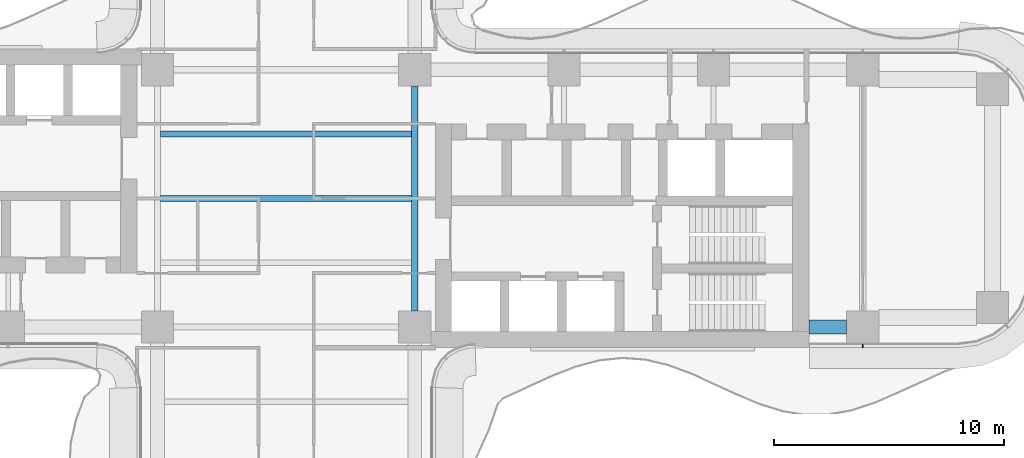
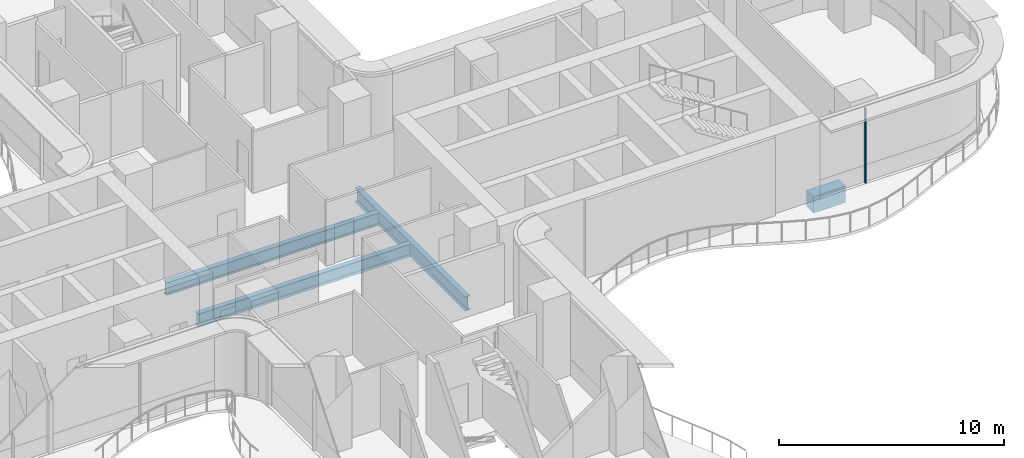
# One storey, part 6 of 22: 4 beams, 1 member, 1 element without a shape of its own.
"""IFC4 building model written with IfcOpenShell, lengths in metres."""

from ifc_helpers import new_model, si_unit, direction, frame, origin, origin_2d, place, context, subcontext, project, spatial, rectangle, i_section, extrude, source, transform, mapped, material, layer, layer_set, material_profile, profile_set, type_object, element, aggregate, save


model = new_model("IFC4")

# Units and contexts
model_context = context("Model", 3, precision=1e-05, world=origin(), true_north=direction((0.0, 1.0)))
body_context = subcontext(model_context, "Body", "Model", "MODEL_VIEW")
ifc_project = project(units=[si_unit("LENGTHUNIT", "METRE"), si_unit("AREAUNIT", "SQUARE_METRE"), si_unit("VOLUMEUNIT", "CUBIC_METRE"), si_unit("PLANEANGLEUNIT", "RADIAN"), si_unit("MASSUNIT", "GRAM", prefix="KILO")], contexts=[model_context])

# Site, building, storey
site_placement = place(None, origin())
site = spatial("IfcSite", under=ifc_project, at=site_placement, CompositionType="ELEMENT")
building_placement = place(site_placement, origin())
building = spatial("IfcBuilding", under=site, at=building_placement, Name="Trellis Farm Tower", CompositionType="ELEMENT")
storey_placement = place(building_placement, frame((0.0, 0.0, 38.5)))
storey = spatial("IfcBuildingStorey", under=building, at=storey_placement, Name="L07", CompositionType="ELEMENT", Elevation=38.5)

# Beams
ifc_material_1 = material(Name="Steel S355", Category="steel")
ifc_material_profile_1 = material_profile(ifc_material_1, i_section(OverallWidth=0.253662109375, OverallDepth=0.68359375, WebThickness=0.012451171875, FlangeThickness=0.021728515625, FilletRadius=0.01513671875, at=origin_2d()), Name="UB 686x254x140")
ifc_profile_set_1 = profile_set([ifc_material_profile_1], Name="Steel S355")
beam_type_1 = type_object("IfcBeamType", Name="UB 686x254x140 joist", PredefinedType="JOIST", material=ifc_profile_set_1)
shared_shape_1 = source(origin(), body_context, "Body", "SweptSolid", [
    extrude(i_section(OverallWidth=0.253662109375, OverallDepth=0.68359375, WebThickness=0.012451171875, FlangeThickness=0.021728515625, FilletRadius=0.01513671875, at=origin_2d()), origin(), (0.0, 0.0, 1.0), 10.93310546875),
])
for number, where, z_axis, x_axis, name in (
    (1, (-5.466552734375, 0.0, -0.591796875), (1.0, 0.0, 0.0), (0.0, 1.0, 0.0), "Floor beam"),
    (2, (-5.466552734375, 2.800048828125, -0.591796875), (1.0, 0.0, 0.0), (0.0, 1.0, 0.0), "Floor beam"),
):
    element("IfcBeam", number, at=place(storey_placement, frame(where, z_axis=z_axis, x_axis=x_axis)), inside=storey, type_object=beam_type_1, Name=name, PredefinedType="JOIST", context=body_context, shape_type="MappedRepresentation", body=[
        mapped(shared_shape_1, transform((0.0, 0.0, 0.0))),
    ])
ifc_material_profile_2 = material_profile(ifc_material_1, i_section(OverallWidth=0.2666015625, OverallDepth=0.76220703125, WebThickness=0.014404296875, FlangeThickness=0.021484375, FilletRadius=0.0166015625, at=origin_2d()), Name="UB 762x267x173")
ifc_profile_set_2 = profile_set([ifc_material_profile_2], Name="Steel S355")
beam_type_2 = type_object("IfcBeamType", Name="UB 762x267x173", PredefinedType="BEAM", material=ifc_profile_set_2)
shared_shape_2 = source(origin(), body_context, "Body", "SweptSolid", [
    extrude(i_section(OverallWidth=0.2666015625, OverallDepth=0.76220703125, WebThickness=0.014404296875, FlangeThickness=0.021484375, FilletRadius=0.0166015625, at=origin_2d()), origin(), (0.0, 0.0, 1.0), 9.7998046875),
])
beam_1_placement = place(storey_placement, frame((5.60009765625, -4.89990234375, -0.631103515625), z_axis=(0.0, 1.0, 0.0), x_axis=(-1.0, 0.0, 0.0)))
element("IfcBeam", 3, at=beam_1_placement, inside=storey, type_object=beam_type_2, Name="Girder", PredefinedType="BEAM", context=body_context, shape_type="MappedRepresentation", body=[
    mapped(shared_shape_2, transform((0.0, 0.0, 0.0))),
])
ifc_material_2 = material(Name="Concrete C60/75", Category="concrete")
ifc_material_profile_3 = material_profile(ifc_material_2, rectangle(XDim=0.60009765625, YDim=0.89990234375, at=origin_2d()), Name="RC spandrel beam 600x900 C60/75")
ifc_profile_set_3 = profile_set([ifc_material_profile_3], Name="Concrete C60/75")
beam_type_3 = type_object("IfcBeamType", Name="RC spandrel beam 600x900 C60/75", PredefinedType="SPANDREL", material=ifc_profile_set_3)
shared_shape_3 = source(origin(), body_context, "Body", "SweptSolid", [
    extrude(rectangle(XDim=0.60009765625, YDim=0.89990234375, at=origin_2d()), origin(), (0.0, 0.0, 1.0), 1.64990234375),
])
beam_2_placement = place(storey_placement, frame((22.75, -5.60009765625, -0.699951171875), z_axis=(1.0, 0.0, 0.0), x_axis=(0.0, 1.0, 0.0)))
element("IfcBeam", 4, at=beam_2_placement, inside=storey, type_object=beam_type_3, Name="Girder", PredefinedType="SPANDREL", context=body_context, shape_type="MappedRepresentation", body=[
    mapped(shared_shape_3, transform((0.0, 0.0, 0.0))),
])

# Curtain wall, member
ifc_material_3 = material(Name="Aluminium and glass curtain wall", Category="aluminium")
ifc_layer = layer(ifc_material_3, 0.18994140625)
ifc_layer_set = layer_set([ifc_layer], Name="RIBBON CURTAIN WALL CW1")
curtain_wall_type = type_object("IfcCurtainWallType", Name="RIBBON CURTAIN WALL CW1", PredefinedType="NOTDEFINED", material=ifc_layer_set)
curtain_wall_placement = place(storey_placement, origin())
curtain_wall = element("IfcCurtainWall", 5, at=curtain_wall_placement, inside=storey, type_object=curtain_wall_type, Name="CW1 005", PredefinedType="NOTDEFINED")
ifc_material_4 = material(Name="Aluminium extrusion 6063-T6", Category="aluminium")
ifc_material_profile_4 = material_profile(ifc_material_4, rectangle(XDim=0.06005859375, YDim=0.14990234375, at=origin_2d()), Name="MULLION 60x150")
ifc_profile_set_4 = profile_set([ifc_material_profile_4], Name="Aluminium extrusion 6063-T6")
member_type = type_object("IfcMemberType", Name="CW1 MULLION 60x150", PredefinedType="MULLION", material=ifc_profile_set_4)
shared_shape_4 = source(origin(), body_context, "Body", "SweptSolid", [
    extrude(rectangle(XDim=0.06005859375, YDim=0.14990234375, at=origin_2d()), origin(), (0.0, 0.0, 1.0), 4.070068359375),
])
member_placement = place(storey_placement, frame((25.10009765625, -6.425048828125, 0.0), z_axis=(0.0, 0.0, 1.0), x_axis=(1.0, 0.0, 0.0)))
member = element("IfcMember", 6, at=member_placement, type_object=member_type, Name="MU1 005-01", PredefinedType="MULLION", context=body_context, shape_type="MappedRepresentation", body=[
    mapped(shared_shape_4, transform((0.0, 0.0, 0.0))),
])
aggregate(curtain_wall, [member])

save(model, "model.ifc")
